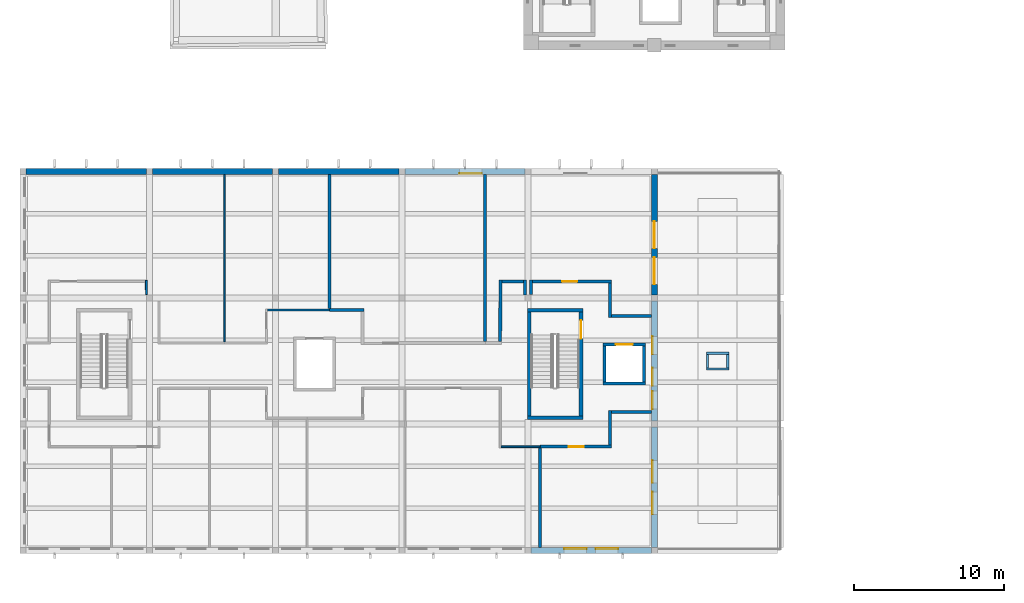
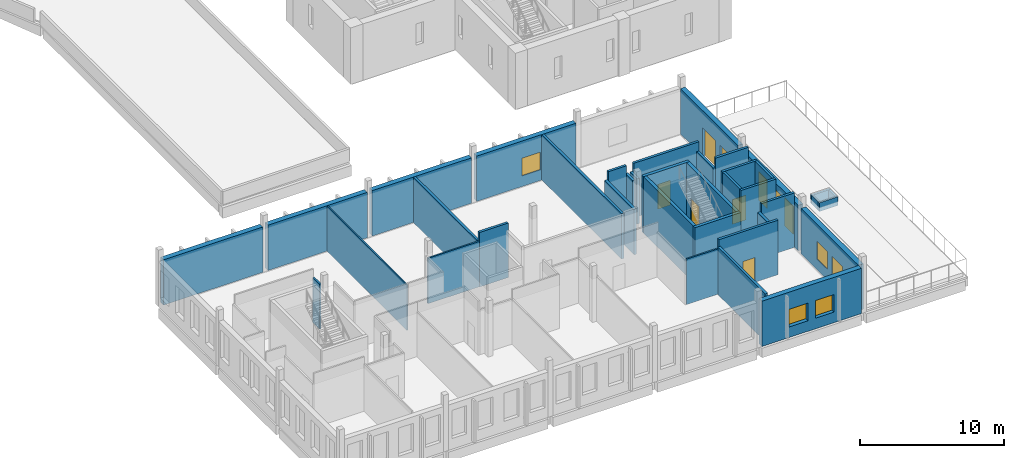
# One storey, part 10 of 79: 38 walls, 8 windows, 6 doors, 14 openings.
"""IFC4 building model written with IfcOpenShell, lengths in metres."""

from ifc_helpers import new_model, si_unit, direction, frame, frame_2d, origin, place, context, subcontext, project, spatial, rectangle, extrude, material, layer, layer_set, type_object, element, fill, save


model = new_model("IFC4")

# Units and contexts
model_context = context("Model", 3, precision=1e-05, world=origin(), true_north=direction((0.0, 1.0)))
body_context = subcontext(model_context, "Body", "Model", "MODEL_VIEW")
ifc_project = project(units=[si_unit("LENGTHUNIT", "METRE"), si_unit("AREAUNIT", "SQUARE_METRE"), si_unit("VOLUMEUNIT", "CUBIC_METRE"), si_unit("PLANEANGLEUNIT", "RADIAN"), si_unit("MASSUNIT", "GRAM", prefix="KILO")], contexts=[model_context])

# Site, building, storey
site_placement = place(None, origin())
site = spatial("IfcSite", under=ifc_project, at=site_placement, CompositionType="ELEMENT")
building_placement = place(site_placement, origin())
building = spatial("IfcBuilding", under=site, at=building_placement, Name="Larchfold Concert Hall", CompositionType="ELEMENT")
storey_placement = place(building_placement, frame((0.0, 0.0, 14.39990234375)))
storey = spatial("IfcBuildingStorey", under=building, at=storey_placement, Name="L03", CompositionType="ELEMENT", Elevation=14.39990234375)

# Wall
ifc_material_1 = material(Name="Plasterboard partition on steel studs", Category="steel")
ifc_layer_1 = layer(ifc_material_1, 0.199951171875)
ifc_layer_set_1 = layer_set([ifc_layer_1], Name="Plasterboard partition on steel studs")
wall_type_1 = type_object("IfcWallType", Name="Acoustic partition 200", PredefinedType="PARTITIONING", material=ifc_layer_set_1)
wall_1_placement = place(storey_placement, frame((35.0, 7.39990234375, 0.0), z_axis=(0.0, 0.0, 1.0), x_axis=(0.0, -1.0, 0.0)))
element("IfcWall", 1, at=wall_1_placement, inside=storey, type_object=wall_type_1, Name="Partition IW0069", PredefinedType="PARTITIONING", context=body_context, shape_type="SweptSolid", body=[
    extrude(rectangle(XDim=6.599853515625, YDim=0.199951171875, at=frame_2d((3.2998046875, 0.0))), origin(), (0.0, 0.0, 1.0), 4.06005859375),
])

# Wall, opening, door
wall_2_placement = place(storey_placement, frame((35.0, 7.5, 0.0), z_axis=(0.0, 0.0, 1.0), x_axis=(1.0, 0.0, 0.0)))
wall_2 = element("IfcWall", 2, at=wall_2_placement, inside=storey, type_object=wall_type_1, Name="Partition IW0075", PredefinedType="PARTITIONING", context=body_context, shape_type="SweptSolid", body=[
    extrude(rectangle(XDim=4.75, YDim=0.199951171875, at=frame_2d((2.375, 0.0))), origin(), (0.0, 0.0, 1.0), 4.64013671875),
])
opening_1_placement = place(wall_2_placement, frame((1.90478515625, 0.0, 0.0)))
opening_1 = element("IfcOpeningElement", 3, at=opening_1_placement, cuts=wall_2, Name="Opening D-L03-122", PredefinedType="OPENING", context=body_context, shape_type="SweptSolid", body=[
    extrude(rectangle(XDim=1.0, YDim=2.10009765625, at=frame_2d((0.5, 1.050048828125))), frame((0.0, 0.10986328125, 0.0), z_axis=(0.0, -1.0, 0.0), x_axis=(1.0, 0.0, 0.0)), (0.0, 0.0, 1.0), 0.219970703125),
])
ifc_material_2 = material(Name="Timber door leaf", Category="wood")
door_type_1 = type_object("IfcDoorType", Name="Practice and studio door, acoustic 1000 x 2100 FD30S", OperationType="SINGLE_SWING_LEFT", PredefinedType="DOOR", material=ifc_material_2)
door_1_placement = place(opening_1_placement, origin())
door_1 = element("IfcDoor", 4, at=door_1_placement, inside=storey, type_object=door_type_1, Name="Door D-L03-122", OperationType="SINGLE_SWING_LEFT", OverallHeight=2.10009765625, OverallWidth=1.0, PredefinedType="DOOR", context=body_context, shape_type="SweptSolid", body=[
    extrude(rectangle(XDim=1.0, YDim=2.10009765625, at=frame_2d((0.5, 1.050048828125))), frame((0.0, 0.02490234375, 0.0), z_axis=(0.0, -1.0, 0.0), x_axis=(1.0, 0.0, 0.0)), (0.0, 0.0, 1.0), 0.050048828125),
])
fill(opening_1, door_1)

# Walls
wall_3_placement = place(storey_placement, frame((39.64990234375, 7.60009765625, 0.0), z_axis=(0.0, 0.0, 1.0), x_axis=(0.0, 1.0, 0.0)))
element("IfcWall", 5, at=wall_3_placement, inside=storey, type_object=wall_type_1, Name="Partition IW0076", PredefinedType="PARTITIONING", context=body_context, shape_type="SweptSolid", body=[
    extrude(rectangle(XDim=2.2998046875, YDim=0.199951171875, at=frame_2d((1.14990234375, 0.0))), origin(), (0.0, 0.0, 1.0), 3.860107421875),
])
wall_4_placement = place(storey_placement, frame((39.75, 9.800048828125, 0.0), z_axis=(0.0, 0.0, 1.0), x_axis=(1.0, 0.0, 0.0)))
element("IfcWall", 6, at=wall_4_placement, inside=storey, type_object=wall_type_1, Name="Partition IW0077", PredefinedType="PARTITIONING", context=body_context, shape_type="SweptSolid", body=[
    extrude(rectangle(XDim=2.650146484375, YDim=0.199951171875, at=frame_2d((1.3251953125, 0.0))), origin(), (0.0, 0.0, 1.0), 4.64013671875),
])
wall_5_placement = place(storey_placement, frame((20.97998046875, 16.59912109375, 0.0), z_axis=(0.0, 0.0, 1.0), x_axis=(1.0, 0.0, 0.0)))
element("IfcWall", 7, at=wall_5_placement, inside=storey, type_object=wall_type_1, Name="Partition IW0091", PredefinedType="PARTITIONING", context=body_context, shape_type="SweptSolid", body=[
    extrude(rectangle(XDim=2.319091796875, YDim=0.199951171875, at=frame_2d((1.15966796875, 0.0))), origin(), (0.0, 0.0, 1.0), 4.64013671875),
])
wall_6_placement = place(storey_placement, frame((34.010009765625, 18.59912109375, 0.0), z_axis=(0.0, 0.0, 1.0), x_axis=(0.0, -1.0, 0.0)))
element("IfcWall", 8, at=wall_6_placement, inside=storey, type_object=wall_type_1, Name="Partition IW0094", PredefinedType="PARTITIONING", context=body_context, shape_type="SweptSolid", body=[
    extrude(rectangle(XDim=0.9990234375, YDim=0.199951171875, at=frame_2d((0.49951171875, 0.0))), origin(), (0.0, 0.0, 1.0), 3.860107421875),
])
wall_7_placement = place(storey_placement, frame((34.38818359375, 17.619873046875, 0.0), z_axis=(0.0, 0.0, 1.0), x_axis=(0.001994511116, 0.999998010961, 0.0)))
element("IfcWall", 9, at=wall_7_placement, inside=storey, type_object=wall_type_1, Name="Partition IW0095", PredefinedType="PARTITIONING", context=body_context, shape_type="SweptSolid", body=[
    extrude(rectangle(XDim=0.979248046875, YDim=0.199951171875, at=frame_2d((0.48974609375, 0.0))), origin(), (0.0, 0.0, 1.0), 3.860107421875),
])

# Wall, opening, door
wall_8_placement = place(storey_placement, frame((34.489990234375, 18.4990234375, 0.0), z_axis=(0.0, 0.0, 1.0), x_axis=(1.0, 0.0, 0.0)))
wall_8 = element("IfcWall", 10, at=wall_8_placement, inside=storey, type_object=wall_type_1, Name="Partition IW0096", PredefinedType="PARTITIONING", context=body_context, shape_type="SweptSolid", body=[
    extrude(rectangle(XDim=5.259033203125, YDim=0.199951171875, at=frame_2d((2.62939453125, 0.0))), origin(), (0.0, 0.0, 1.0), 4.64013671875),
])
opening_2_placement = place(wall_8_placement, frame((1.9775390625, 0.0, 0.0)))
opening_2 = element("IfcOpeningElement", 11, at=opening_2_placement, cuts=wall_8, Name="Opening D-L03-127", PredefinedType="OPENING", context=body_context, shape_type="SweptSolid", body=[
    extrude(rectangle(XDim=1.0, YDim=2.10009765625, at=frame_2d((0.5, 1.050048828125))), frame((0.0, 0.10986328125, 0.0), z_axis=(0.0, -1.0, 0.0), x_axis=(1.0, 0.0, 0.0)), (0.0, 0.0, 1.0), 0.219970703125),
])
door_2_placement = place(opening_2_placement, origin())
door_2 = element("IfcDoor", 12, at=door_2_placement, inside=storey, type_object=door_type_1, Name="Door D-L03-127", OperationType="SINGLE_SWING_LEFT", OverallHeight=2.10009765625, OverallWidth=1.0, PredefinedType="DOOR", context=body_context, shape_type="SweptSolid", body=[
    extrude(rectangle(XDim=1.0, YDim=2.10009765625, at=frame_2d((0.5, 1.050048828125))), frame((0.0, 0.02490234375, 0.0), z_axis=(0.0, -1.0, 0.0), x_axis=(1.0, 0.0, 0.0)), (0.0, 0.0, 1.0), 0.050048828125),
])
fill(opening_2, door_2)

# Walls
wall_9_placement = place(storey_placement, frame((39.64892578125, 18.39892578125, 0.0), z_axis=(0.0, 0.0, 1.0), x_axis=(0.0, -1.0, 0.0)))
element("IfcWall", 13, at=wall_9_placement, inside=storey, type_object=wall_type_1, Name="Partition IW0097", PredefinedType="PARTITIONING", context=body_context, shape_type="SweptSolid", body=[
    extrude(rectangle(XDim=2.2998046875, YDim=0.199951171875, at=frame_2d((1.14990234375, 0.0))), origin(), (0.0, 0.0, 1.0), 3.860107421875),
])
wall_10_placement = place(storey_placement, frame((39.7490234375, 16.198974609375, 0.0), z_axis=(0.0, 0.0, 1.0), x_axis=(1.0, 0.0, 0.0)))
element("IfcWall", 14, at=wall_10_placement, inside=storey, type_object=wall_type_1, Name="Partition IW0098", PredefinedType="PARTITIONING", context=body_context, shape_type="SweptSolid", body=[
    extrude(rectangle(XDim=2.651123046875, YDim=0.199951171875, at=frame_2d((1.32568359375, 0.0))), origin(), (0.0, 0.0, 1.0), 4.64013671875),
])
wall_11_placement = place(storey_placement, frame((32.35009765625, 14.4990234375, 0.0), z_axis=(0.0, 0.0, 1.0), x_axis=(0.000238180296, 0.999999971635, 0.0)))
element("IfcWall", 15, at=wall_11_placement, inside=storey, type_object=wall_type_1, Name="Partition IW0100", PredefinedType="PARTITIONING", context=body_context, shape_type="SweptSolid", body=[
    extrude(rectangle(XDim=4.10009765625, YDim=0.199951171875, at=frame_2d((2.050048828125, 0.0))), origin(), (0.0, 0.0, 1.0), 3.860107421875),
])
wall_12_placement = place(storey_placement, frame((32.450927734375, 18.4990234375, 0.0), z_axis=(0.0, 0.0, 1.0), x_axis=(1.0, 0.0, 0.0)))
element("IfcWall", 16, at=wall_12_placement, inside=storey, type_object=wall_type_1, Name="Partition IW0101", PredefinedType="PARTITIONING", context=body_context, shape_type="SweptSolid", body=[
    extrude(rectangle(XDim=1.458984375, YDim=0.199951171875, at=frame_2d((0.7294921875, 0.0))), origin(), (0.0, 0.0, 1.0), 4.64013671875),
])
wall_13_placement = place(storey_placement, frame((31.3330078125, 25.60009765625, 0.0), z_axis=(0.0, 0.0, 1.0), x_axis=(0.0, -1.0, 0.0)))
element("IfcWall", 17, at=wall_13_placement, inside=storey, type_object=wall_type_1, Name="Partition IW0106", PredefinedType="PARTITIONING", context=body_context, shape_type="SweptSolid", body=[
    extrude(rectangle(XDim=11.10009765625, YDim=0.199951171875, at=frame_2d((5.550048828125, 0.0))), origin(), (0.0, 0.0, 1.0), 3.860107421875),
])
wall_14_placement = place(storey_placement, frame((21.0, 16.699951171875, 0.0), z_axis=(0.0, 0.0, 1.0), x_axis=(0.0, 1.0, 0.0)))
element("IfcWall", 18, at=wall_14_placement, inside=storey, type_object=wall_type_1, Name="Partition IW0107", PredefinedType="PARTITIONING", context=body_context, shape_type="SweptSolid", body=[
    extrude(rectangle(XDim=8.900146484375, YDim=0.199951171875, at=frame_2d((4.4501953125, 0.0))), origin(), (0.0, 0.0, 1.0), 3.860107421875),
])
ifc_material_3 = material(Name="Plasterboard partition on steel studs", Category="steel")
ifc_layer_2 = layer(ifc_material_3, 0.125)
ifc_layer_set_2 = layer_set([ifc_layer_2], Name="Plasterboard partition on steel studs")
wall_type_2 = type_object("IfcWallType", Name="Corridor partition 125 EI 60", PredefinedType="PARTITIONING", material=ifc_layer_set_2)
wall_15_placement = place(storey_placement, frame((32.41259765625, 7.5, 0.0), z_axis=(0.0, 0.0, 1.0), x_axis=(1.0, 0.0, 0.0)))
element("IfcWall", 19, at=wall_15_placement, inside=storey, type_object=wall_type_2, Name="Partition IW0074", PredefinedType="PARTITIONING", context=body_context, shape_type="SweptSolid", body=[
    extrude(rectangle(XDim=2.58740234375, YDim=0.125, at=frame_2d((1.293701171875, 0.0))), origin(), (0.0, 0.0, 1.0), 3.860107421875),
])
wall_16_placement = place(storey_placement, frame((8.809814453125, 18.5615234375, 0.0), z_axis=(0.0, 0.0, 1.0), x_axis=(0.003370476059, -0.999994319929, 0.0)))
element("IfcWall", 20, at=wall_16_placement, inside=storey, type_object=wall_type_2, Name="Partition IW0088", PredefinedType="PARTITIONING", context=body_context, shape_type="SweptSolid", body=[
    extrude(rectangle(XDim=0.941650390625, YDim=0.125, at=frame_2d((0.470703125, 0.0))), origin(), (0.0, 0.0, 1.0), 3.860107421875),
])
wall_17_placement = place(storey_placement, frame((16.863525390625, 16.59912109375, 0.0), z_axis=(0.0, 0.0, 1.0), x_axis=(1.0, 0.0, 0.0)))
element("IfcWall", 21, at=wall_17_placement, inside=storey, type_object=wall_type_2, Name="Partition IW0104", PredefinedType="PARTITIONING", context=body_context, shape_type="SweptSolid", body=[
    extrude(rectangle(XDim=4.116455078125, YDim=0.125, at=frame_2d((2.05810546875, 0.0))), origin(), (0.0, 0.0, 1.0), 3.860107421875),
])

# Wall, openings, windows
ifc_material_4 = material(Name="Larch cladding on mineral wool and CLT", Category="wood")
ifc_layer_3 = layer(ifc_material_4, 0.39990234375)
ifc_layer_set_3 = layer_set([ifc_layer_3], Name="Larch cladding on mineral wool and CLT")
wall_type_3 = type_object("IfcWallType", Name="Larch clad infill wall 400", PredefinedType="SOLIDWALL", material=ifc_layer_set_3)
wall_18_placement = place(storey_placement, frame((42.60009765625, 0.800048828125, 0.0), z_axis=(0.0, 0.0, 1.0), x_axis=(0.0, 1.0, 0.0)))
wall_18 = element("IfcWall", 22, at=wall_18_placement, inside=storey, type_object=wall_type_3, Name="Infill wall W5052", PredefinedType="SOLIDWALL", context=body_context, shape_type="SweptSolid", body=[
    extrude(rectangle(XDim=8.0, YDim=0.39990234375, at=frame_2d((4.0, 0.0))), origin(), (0.0, 0.0, 1.0), 3.860107421875),
])
opening_3_placement = place(wall_18_placement, frame((2.199951171875, 0.0, 0.89990234375)))
opening_3 = element("IfcOpeningElement", 23, at=opening_3_placement, cuts=wall_18, Name="Opening WN-L03-017", PredefinedType="OPENING", context=body_context, shape_type="SweptSolid", body=[
    extrude(rectangle(XDim=1.5, YDim=1.5, at=frame_2d((0.75, 0.75))), frame((0.0, 0.2099609375, 0.0), z_axis=(0.0, -1.0, 0.0), x_axis=(1.0, 0.0, 0.0)), (0.0, 0.0, 1.0), 0.419921875),
])
opening_4_placement = place(wall_18_placement, frame((4.300048828125, 0.0, 0.89990234375)))
opening_4 = element("IfcOpeningElement", 24, at=opening_4_placement, cuts=wall_18, Name="Opening WN-L03-018", PredefinedType="OPENING", context=body_context, shape_type="SweptSolid", body=[
    extrude(rectangle(XDim=1.5, YDim=1.5, at=frame_2d((0.75, 0.75))), frame((0.0, 0.2099609375, 0.0), z_axis=(0.0, -1.0, 0.0), x_axis=(1.0, 0.0, 0.0)), (0.0, 0.0, 1.0), 0.419921875),
])
ifc_material_5 = material(Name="Anodised graphite aluminium frame with glass", Category="aluminium")
window_type_1 = type_object("IfcWindowType", Name="Studio window 1500x1500", PartitioningType="DOUBLE_PANEL_VERTICAL", PredefinedType="WINDOW", material=ifc_material_5)
window_1_placement = place(opening_3_placement, origin())
window_1 = element("IfcWindow", 25, at=window_1_placement, inside=storey, type_object=window_type_1, Name="Window WN-L03-017", OverallHeight=1.5, OverallWidth=1.5, PartitioningType="DOUBLE_PANEL_VERTICAL", PredefinedType="WINDOW", context=body_context, shape_type="SweptSolid", body=[
    extrude(rectangle(XDim=1.5, YDim=1.5, at=frame_2d((0.75, 0.75))), frame((0.0, 0.150146484375, 0.0), z_axis=(0.0, -1.0, 0.0), x_axis=(1.0, 0.0, 0.0)), (0.0, 0.0, 1.0), 0.06005859375),
])
fill(opening_3, window_1)
window_2_placement = place(opening_4_placement, origin())
window_2 = element("IfcWindow", 26, at=window_2_placement, inside=storey, type_object=window_type_1, Name="Window WN-L03-018", OverallHeight=1.5, OverallWidth=1.5, PartitioningType="DOUBLE_PANEL_VERTICAL", PredefinedType="WINDOW", context=body_context, shape_type="SweptSolid", body=[
    extrude(rectangle(XDim=1.5, YDim=1.5, at=frame_2d((0.75, 0.75))), frame((0.0, 0.150146484375, 0.0), z_axis=(0.0, -1.0, 0.0), x_axis=(1.0, 0.0, 0.0)), (0.0, 0.0, 1.0), 0.06005859375),
])
fill(opening_4, window_2)

wall_19_placement = place(storey_placement, frame((42.60009765625, 9.199951171875, 0.0), z_axis=(0.0, 0.0, 1.0), x_axis=(0.0, 1.0, 0.0)))
wall_19 = element("IfcWall", 27, at=wall_19_placement, inside=storey, type_object=wall_type_3, Name="Infill wall W5053", PredefinedType="SOLIDWALL", context=body_context, shape_type="SweptSolid", body=[
    extrude(rectangle(XDim=8.0, YDim=0.39990234375, at=frame_2d((4.0, 0.0))), origin(), (0.0, 0.0, 1.0), 3.860107421875),
])
opening_5_placement = place(wall_19_placement, frame((0.804931640625, 0.0, 0.89990234375)))
opening_5 = element("IfcOpeningElement", 28, at=opening_5_placement, cuts=wall_19, Name="Opening WN-L03-019", PredefinedType="OPENING", context=body_context, shape_type="SweptSolid", body=[
    extrude(rectangle(XDim=1.199951171875, YDim=2.39990234375, at=frame_2d((0.60009765625, 1.199951171875))), frame((0.0, 0.2099609375, 0.0), z_axis=(0.0, -1.0, 0.0), x_axis=(1.0, 0.0, 0.0)), (0.0, 0.0, 1.0), 0.419921875),
])
opening_6_placement = place(wall_19_placement, frame((2.35009765625, 0.0, 0.89990234375)))
opening_6 = element("IfcOpeningElement", 29, at=opening_6_placement, cuts=wall_19, Name="Opening WN-L03-020", PredefinedType="OPENING", context=body_context, shape_type="SweptSolid", body=[
    extrude(rectangle(XDim=1.199951171875, YDim=2.39990234375, at=frame_2d((0.60009765625, 1.199951171875))), frame((0.0, 0.2099609375, 0.0), z_axis=(0.0, -1.0, 0.0), x_axis=(1.0, 0.0, 0.0)), (0.0, 0.0, 1.0), 0.419921875),
])
opening_7_placement = place(wall_19_placement, frame((4.449951171875, 0.0, 0.89990234375)))
opening_7 = element("IfcOpeningElement", 30, at=opening_7_placement, cuts=wall_19, Name="Opening WN-L03-021", PredefinedType="OPENING", context=body_context, shape_type="SweptSolid", body=[
    extrude(rectangle(XDim=1.199951171875, YDim=2.39990234375, at=frame_2d((0.60009765625, 1.199951171875))), frame((0.0, 0.2099609375, 0.0), z_axis=(0.0, -1.0, 0.0), x_axis=(1.0, 0.0, 0.0)), (0.0, 0.0, 1.0), 0.419921875),
])
ifc_material_6 = material(Name="Anodised graphite aluminium frame with glass", Category="aluminium")
window_type_2 = type_object("IfcWindowType", Name="Slot window 1200x2400", PartitioningType="SINGLE_PANEL", PredefinedType="WINDOW", material=ifc_material_6)
window_3_placement = place(opening_5_placement, origin())
window_3 = element("IfcWindow", 31, at=window_3_placement, inside=storey, type_object=window_type_2, Name="Window WN-L03-019", OverallHeight=2.39990234375, OverallWidth=1.199951171875, PartitioningType="SINGLE_PANEL", PredefinedType="WINDOW", context=body_context, shape_type="SweptSolid", body=[
    extrude(rectangle(XDim=1.199951171875, YDim=2.39990234375, at=frame_2d((0.60009765625, 1.199951171875))), frame((0.0, 0.150146484375, 0.0), z_axis=(0.0, -1.0, 0.0), x_axis=(1.0, 0.0, 0.0)), (0.0, 0.0, 1.0), 0.06005859375),
])
fill(opening_5, window_3)
window_4_placement = place(opening_6_placement, origin())
window_4 = element("IfcWindow", 32, at=window_4_placement, inside=storey, type_object=window_type_2, Name="Window WN-L03-020", OverallHeight=2.39990234375, OverallWidth=1.199951171875, PartitioningType="SINGLE_PANEL", PredefinedType="WINDOW", context=body_context, shape_type="SweptSolid", body=[
    extrude(rectangle(XDim=1.199951171875, YDim=2.39990234375, at=frame_2d((0.60009765625, 1.199951171875))), frame((0.0, 0.150146484375, 0.0), z_axis=(0.0, -1.0, 0.0), x_axis=(1.0, 0.0, 0.0)), (0.0, 0.0, 1.0), 0.06005859375),
])
fill(opening_6, window_4)
window_5_placement = place(opening_7_placement, origin())
window_5 = element("IfcWindow", 33, at=window_5_placement, inside=storey, type_object=window_type_2, Name="Window WN-L03-021", OverallHeight=2.39990234375, OverallWidth=1.199951171875, PartitioningType="SINGLE_PANEL", PredefinedType="WINDOW", context=body_context, shape_type="SweptSolid", body=[
    extrude(rectangle(XDim=1.199951171875, YDim=2.39990234375, at=frame_2d((0.60009765625, 1.199951171875))), frame((0.0, 0.150146484375, 0.0), z_axis=(0.0, -1.0, 0.0), x_axis=(1.0, 0.0, 0.0)), (0.0, 0.0, 1.0), 0.06005859375),
])
fill(opening_7, window_5)

# Wall, openings, doors
wall_20_placement = place(storey_placement, frame((42.60009765625, 17.599853515625, 0.0), z_axis=(0.0, 0.0, 1.0), x_axis=(0.0, 1.0, 0.0)))
wall_20 = element("IfcWall", 34, at=wall_20_placement, inside=storey, type_object=wall_type_3, Name="Infill wall W5054", PredefinedType="SOLIDWALL", context=body_context, shape_type="SweptSolid", body=[
    extrude(rectangle(XDim=8.000244140625, YDim=0.39990234375, at=frame_2d((4.0, 0.0))), origin(), (0.0, 0.0, 1.0), 3.860107421875),
])
opening_8_placement = place(wall_20_placement, frame((3.10009765625, 0.0, 0.0)))
opening_8 = element("IfcOpeningElement", 35, at=opening_8_placement, cuts=wall_20, Name="Opening D-L03-201", PredefinedType="OPENING", context=body_context, shape_type="SweptSolid", body=[
    extrude(rectangle(XDim=1.800048828125, YDim=2.39990234375, at=frame_2d((0.89990234375, 1.199951171875))), frame((0.0, 0.2099609375, 0.0), z_axis=(0.0, -1.0, 0.0), x_axis=(1.0, 0.0, 0.0)), (0.0, 0.0, 1.0), 0.419921875),
])
opening_9_placement = place(wall_20_placement, frame((0.699951171875, 0.0, 0.0)))
opening_9 = element("IfcOpeningElement", 36, at=opening_9_placement, cuts=wall_20, Name="Opening D-L03-202", PredefinedType="OPENING", context=body_context, shape_type="SweptSolid", body=[
    extrude(rectangle(XDim=1.800048828125, YDim=2.39990234375, at=frame_2d((0.89990234375, 1.199951171875))), frame((0.0, 0.2099609375, 0.0), z_axis=(0.0, -1.0, 0.0), x_axis=(1.0, 0.0, 0.0)), (0.0, 0.0, 1.0), 0.419921875),
])
ifc_material_7 = material(Name="Anodised graphite aluminium door leaf", Category="aluminium")
door_type_2 = type_object("IfcDoorType", Name="Double door 1800x2400", OperationType="DOUBLE_DOOR_SINGLE_SWING", PredefinedType="DOOR", material=ifc_material_7)
door_3_placement = place(opening_8_placement, origin())
door_3 = element("IfcDoor", 37, at=door_3_placement, inside=storey, type_object=door_type_2, Name="Door D-L03-201", OperationType="DOUBLE_DOOR_SINGLE_SWING", OverallHeight=2.39990234375, OverallWidth=1.800048828125, PredefinedType="DOOR", context=body_context, shape_type="SweptSolid", body=[
    extrude(rectangle(XDim=1.800048828125, YDim=2.39990234375, at=frame_2d((0.89990234375, 1.199951171875))), frame((0.0, 0.02490234375, 0.0), z_axis=(0.0, -1.0, 0.0), x_axis=(1.0, 0.0, 0.0)), (0.0, 0.0, 1.0), 0.050048828125),
])
fill(opening_8, door_3)
door_4_placement = place(opening_9_placement, origin())
door_4 = element("IfcDoor", 38, at=door_4_placement, inside=storey, type_object=door_type_2, Name="Door D-L03-202", OperationType="DOUBLE_DOOR_SINGLE_SWING", OverallHeight=2.39990234375, OverallWidth=1.800048828125, PredefinedType="DOOR", context=body_context, shape_type="SweptSolid", body=[
    extrude(rectangle(XDim=1.800048828125, YDim=2.39990234375, at=frame_2d((0.89990234375, 1.199951171875))), frame((0.0, 0.02490234375, 0.0), z_axis=(0.0, -1.0, 0.0), x_axis=(1.0, 0.0, 0.0)), (0.0, 0.0, 1.0), 0.050048828125),
])
fill(opening_9, door_4)

# Wall, opening, window
wall_21_placement = place(storey_placement, frame((34.0, 25.800048828125, 0.0), z_axis=(0.0, 0.0, 1.0), x_axis=(-1.0, 0.0, 0.0)))
wall_21 = element("IfcWall", 39, at=wall_21_placement, inside=storey, type_object=wall_type_3, Name="Infill wall W5056", PredefinedType="SOLIDWALL", context=body_context, shape_type="SweptSolid", body=[
    extrude(rectangle(XDim=8.0, YDim=0.39990234375, at=frame_2d((4.0, 0.0))), origin(), (0.0, 0.0, 1.0), 3.860107421875),
])
opening_10_placement = place(wall_21_placement, frame((2.869873046875, 0.0, 0.89990234375)))
opening_10 = element("IfcOpeningElement", 40, at=opening_10_placement, cuts=wall_21, Name="Opening WN-L03-023", PredefinedType="OPENING", context=body_context, shape_type="SweptSolid", body=[
    extrude(rectangle(XDim=1.5, YDim=1.5, at=frame_2d((0.75, 0.75))), frame((0.0, 0.2099609375, 0.0), z_axis=(0.0, -1.0, 0.0), x_axis=(1.0, 0.0, 0.0)), (0.0, 0.0, 1.0), 0.419921875),
])
window_6_placement = place(opening_10_placement, origin())
window_6 = element("IfcWindow", 41, at=window_6_placement, inside=storey, type_object=window_type_1, Name="Window WN-L03-023", OverallHeight=1.5, OverallWidth=1.5, PartitioningType="DOUBLE_PANEL_VERTICAL", PredefinedType="WINDOW", context=body_context, shape_type="SweptSolid", body=[
    extrude(rectangle(XDim=1.5, YDim=1.5, at=frame_2d((0.75, 0.75))), frame((0.0, 0.150146484375, 0.0), z_axis=(0.0, -1.0, 0.0), x_axis=(1.0, 0.0, 0.0)), (0.0, 0.0, 1.0), 0.06005859375),
])
fill(opening_10, window_6)

# Walls
wall_22_placement = place(storey_placement, frame((25.60009765625, 25.800048828125, 0.0), z_axis=(0.0, 0.0, 1.0), x_axis=(-1.0, 0.0, 0.0)))
element("IfcWall", 42, at=wall_22_placement, inside=storey, type_object=wall_type_3, Name="Infill wall W5057", PredefinedType="SOLIDWALL", context=body_context, shape_type="SweptSolid", body=[
    extrude(rectangle(XDim=8.000244140625, YDim=0.39990234375, at=frame_2d((4.0, 0.0))), origin(), (0.0, 0.0, 1.0), 3.860107421875),
])
for number, where, z_axis, x_axis, name in (
    (43, (17.199951171875, 25.800048828125, 0.0), (0.0, 0.0, 1.0), (-1.0, 0.0, 0.0), "Infill wall W5058"),
    (44, (8.800048828125, 25.800048828125, 0.0), (0.0, 0.0, 1.0), (-1.0, 0.0, 0.0), "Infill wall W5059"),
):
    element("IfcWall", number, at=place(storey_placement, frame(where, z_axis=z_axis, x_axis=x_axis)), inside=storey, type_object=wall_type_3, Name=name, PredefinedType="SOLIDWALL", context=body_context, shape_type="SweptSolid", body=[
        extrude(rectangle(XDim=8.0, YDim=0.39990234375, at=frame_2d((4.0, 0.0))), origin(), (0.0, 0.0, 1.0), 3.860107421875),
    ])

# Wall, openings, windows
wall_23_placement = place(storey_placement, frame((34.39990234375, 0.60009765625, 0.0), z_axis=(0.0, 0.0, 1.0), x_axis=(1.0, 0.0, 0.0)))
wall_23 = element("IfcWall", 45, at=wall_23_placement, inside=storey, type_object=wall_type_3, Name="Infill wall W5067", PredefinedType="SOLIDWALL", context=body_context, shape_type="SweptSolid", body=[
    extrude(rectangle(XDim=8.000244140625, YDim=0.39990234375, at=frame_2d((4.0, 0.0))), origin(), (0.0, 0.0, 1.0), 3.860107421875),
])
opening_11_placement = place(wall_23_placement, frame((2.2001953125, 0.0, 0.89990234375)))
opening_11 = element("IfcOpeningElement", 46, at=opening_11_placement, cuts=wall_23, Name="Opening WN-L03-052", PredefinedType="OPENING", context=body_context, shape_type="SweptSolid", body=[
    extrude(rectangle(XDim=1.5, YDim=1.5, at=frame_2d((0.75, 0.75))), frame((0.0, 0.2099609375, 0.0), z_axis=(0.0, -1.0, 0.0), x_axis=(1.0, 0.0, 0.0)), (0.0, 0.0, 1.0), 0.419921875),
])
opening_12_placement = place(wall_23_placement, frame((4.300048828125, 0.0, 0.89990234375)))
opening_12 = element("IfcOpeningElement", 47, at=opening_12_placement, cuts=wall_23, Name="Opening WN-L03-053", PredefinedType="OPENING", context=body_context, shape_type="SweptSolid", body=[
    extrude(rectangle(XDim=1.5, YDim=1.5, at=frame_2d((0.75, 0.75))), frame((0.0, 0.2099609375, 0.0), z_axis=(0.0, -1.0, 0.0), x_axis=(1.0, 0.0, 0.0)), (0.0, 0.0, 1.0), 0.419921875),
])
window_7_placement = place(opening_11_placement, origin())
window_7 = element("IfcWindow", 48, at=window_7_placement, inside=storey, type_object=window_type_1, Name="Window WN-L03-052", OverallHeight=1.5, OverallWidth=1.5, PartitioningType="DOUBLE_PANEL_VERTICAL", PredefinedType="WINDOW", context=body_context, shape_type="SweptSolid", body=[
    extrude(rectangle(XDim=1.5, YDim=1.5, at=frame_2d((0.75, 0.75))), frame((0.0, 0.150146484375, 0.0), z_axis=(0.0, -1.0, 0.0), x_axis=(1.0, 0.0, 0.0)), (0.0, 0.0, 1.0), 0.06005859375),
])
fill(opening_11, window_7)
window_8_placement = place(opening_12_placement, origin())
window_8 = element("IfcWindow", 49, at=window_8_placement, inside=storey, type_object=window_type_1, Name="Window WN-L03-053", OverallHeight=1.5, OverallWidth=1.5, PartitioningType="DOUBLE_PANEL_VERTICAL", PredefinedType="WINDOW", context=body_context, shape_type="SweptSolid", body=[
    extrude(rectangle(XDim=1.5, YDim=1.5, at=frame_2d((0.75, 0.75))), frame((0.0, 0.150146484375, 0.0), z_axis=(0.0, -1.0, 0.0), x_axis=(1.0, 0.0, 0.0)), (0.0, 0.0, 1.0), 0.06005859375),
])
fill(opening_12, window_8)

# Walls
ifc_material_8 = material(Name="Insulated steel upstand S355", Category="steel")
ifc_layer_4 = layer(ifc_material_8, 0.14990234375)
ifc_layer_set_4 = layer_set([ifc_layer_4], Name="Insulated steel upstand S355")
wall_type_4 = type_object("IfcWallType", Name="Roof hatch curb 150", PredefinedType="PARAPET", material=ifc_layer_set_4)
for number, where, z_axis, x_axis, name in (
    (50, (46.06005859375, 12.67529296875, 0.0), (0.0, 0.0, 1.0), (1.0, 0.0, 0.0), "Roof upstand curb HC09"),
    (51, (46.06005859375, 13.72509765625, 0.0), (0.0, 0.0, 1.0), (1.0, 0.0, 0.0), "Roof upstand curb HC10"),
):
    element("IfcWall", number, at=place(storey_placement, frame(where, z_axis=z_axis, x_axis=x_axis)), inside=storey, type_object=wall_type_4, Name=name, PredefinedType="PARAPET", context=body_context, shape_type="SweptSolid", body=[
        extrude(rectangle(XDim=1.5, YDim=0.14990234375, at=frame_2d((0.75, 0.0))), origin(), (0.0, 0.0, 1.0), 0.739990234375),
    ])
for number, where, z_axis, x_axis, name in (
    (52, (46.135009765625, 12.750244140625, 0.0), (0.0, 0.0, 1.0), (0.0, 1.0, 0.0), "Roof upstand curb HC11"),
    (53, (47.485107421875, 12.750244140625, 0.0), (0.0, 0.0, 1.0), (0.0, 1.0, 0.0), "Roof upstand curb HC12"),
):
    element("IfcWall", number, at=place(storey_placement, frame(where, z_axis=z_axis, x_axis=x_axis)), inside=storey, type_object=wall_type_4, Name=name, PredefinedType="PARAPET", context=body_context, shape_type="SweptSolid", body=[
        extrude(rectangle(XDim=0.89990234375, YDim=0.14990234375, at=frame_2d((0.449951171875, 0.0))), origin(), (0.0, 0.0, 1.0), 0.739990234375),
    ])
ifc_material_9 = material(Name="Plasterboard partition on steel studs", Category="steel")
ifc_layer_5 = layer(ifc_material_9, 0.10009765625)
ifc_layer_set_5 = layer_set([ifc_layer_5], Name="Plasterboard partition on steel studs")
wall_type_5 = type_object("IfcWallType", Name="Stud partition 100", PredefinedType="PARTITIONING", material=ifc_layer_set_5)
wall_24_placement = place(storey_placement, frame((14.0, 25.60009765625, 0.0), z_axis=(0.0, 0.0, 1.0), x_axis=(0.0, -1.0, 0.0)))
element("IfcWall", 54, at=wall_24_placement, inside=storey, type_object=wall_type_5, Name="Partition IW0105", PredefinedType="PARTITIONING", context=body_context, shape_type="SweptSolid", body=[
    extrude(rectangle(XDim=11.135009765625, YDim=0.10009765625, at=frame_2d((5.5673828125, 0.0))), origin(), (0.0, 0.0, 1.0), 3.860107421875),
])
ifc_material_10 = material(Name="Concrete C40/50", Category="concrete")
ifc_layer_6 = layer(ifc_material_10, 0.199951171875)
ifc_layer_set_6 = layer_set([ifc_layer_6], Name="Concrete C40/50")
wall_type_6 = type_object("IfcWallType", Name="Wall RC 200 lift shaft", PredefinedType="SOLIDWALL", material=ifc_layer_set_6)
wall_25_placement = place(storey_placement, frame((39.199951171875, 11.7001953125, 0.0), z_axis=(0.0, 0.0, 1.0), x_axis=(1.0, 0.0, 0.0)))
element("IfcWall", 55, at=wall_25_placement, inside=storey, type_object=wall_type_6, Name="Wall W0146", PredefinedType="SOLIDWALL", context=body_context, shape_type="SweptSolid", body=[
    extrude(rectangle(XDim=2.800048828125, YDim=0.199951171875, at=frame_2d((1.39990234375, 0.0))), origin(), (0.0, 0.0, 1.0), 4.800048828125),
])

# Wall, opening, door
wall_26_placement = place(storey_placement, frame((39.199951171875, 14.2998046875, 0.0), z_axis=(0.0, 0.0, 1.0), x_axis=(1.0, 0.0, 0.0)))
wall_26 = element("IfcWall", 56, at=wall_26_placement, inside=storey, type_object=wall_type_6, Name="Wall W0147", PredefinedType="SOLIDWALL", context=body_context, shape_type="SweptSolid", body=[
    extrude(rectangle(XDim=2.800048828125, YDim=0.199951171875, at=frame_2d((1.39990234375, 0.0))), origin(), (0.0, 0.0, 1.0), 4.800048828125),
])
opening_13_placement = place(wall_26_placement, frame((0.85009765625, 0.0, 0.0)))
opening_13 = element("IfcOpeningElement", 57, at=opening_13_placement, cuts=wall_26, Name="Opening LD-LF11", PredefinedType="OPENING", context=body_context, shape_type="SweptSolid", body=[
    extrude(rectangle(XDim=1.10009765625, YDim=2.10009765625, at=frame_2d((0.550048828125, 1.050048828125))), frame((0.0, 0.10986328125, 0.0), z_axis=(0.0, -1.0, 0.0), x_axis=(1.0, 0.0, 0.0)), (0.0, 0.0, 1.0), 0.219970703125),
])
ifc_material_11 = material(Name="Stainless steel sliding leaves", Category="steel")
door_type_3 = type_object("IfcDoorType", Name="Lift landing door sliding 1100 x 2100", OperationType="SLIDING_TO_LEFT", PredefinedType="DOOR", material=ifc_material_11)
door_5_placement = place(opening_13_placement, origin())
door_5 = element("IfcDoor", 58, at=door_5_placement, inside=storey, type_object=door_type_3, Name="Lift landing door LF11", OperationType="SLIDING_TO_LEFT", OverallHeight=2.10009765625, OverallWidth=1.10009765625, PredefinedType="DOOR", context=body_context, shape_type="SweptSolid", body=[
    extrude(rectangle(XDim=1.10009765625, YDim=2.10009765625, at=frame_2d((0.550048828125, 1.050048828125))), frame((0.0, 0.02490234375, 0.0), z_axis=(0.0, -1.0, 0.0), x_axis=(1.0, 0.0, 0.0)), (0.0, 0.0, 1.0), 0.050048828125),
])
fill(opening_13, door_5)

# Walls
for number, where, z_axis, x_axis, name in (
    (59, (39.300048828125, 11.800048828125, 0.0), (0.0, 0.0, 1.0), (0.0, 1.0, 0.0), "Wall W0148"),
    (60, (41.89990234375, 11.800048828125, 0.0), (0.0, 0.0, 1.0), (0.0, 1.0, 0.0), "Wall W0149"),
):
    element("IfcWall", number, at=place(storey_placement, frame(where, z_axis=z_axis, x_axis=x_axis)), inside=storey, type_object=wall_type_6, Name=name, PredefinedType="SOLIDWALL", context=body_context, shape_type="SweptSolid", body=[
        extrude(rectangle(XDim=2.39990234375, YDim=0.199951171875, at=frame_2d((1.199951171875, 0.0))), origin(), (0.0, 0.0, 1.0), 4.800048828125),
    ])
ifc_material_12 = material(Name="Concrete C40/50", Category="concrete")
ifc_layer_7 = layer(ifc_material_12, 0.25)
ifc_layer_set_7 = layer_set([ifc_layer_7], Name="Concrete C40/50")
wall_type_7 = type_object("IfcWallType", Name="Wall RC 250 stair core", PredefinedType="SOLIDWALL", material=ifc_layer_set_7)
for number, where, z_axis, x_axis, name in (
    (61, (34.14990234375, 9.425048828125, 0.0), (0.0, 0.0, 1.0), (1.0, 0.0, 0.0), "Wall W0106"),
    (62, (34.14990234375, 16.574951171875, 0.0), (0.0, 0.0, 1.0), (1.0, 0.0, 0.0), "Wall W0107"),
):
    element("IfcWall", number, at=place(storey_placement, frame(where, z_axis=z_axis, x_axis=x_axis)), inside=storey, type_object=wall_type_7, Name=name, PredefinedType="SOLIDWALL", context=body_context, shape_type="SweptSolid", body=[
        extrude(rectangle(XDim=3.7001953125, YDim=0.25, at=frame_2d((1.85009765625, 0.0))), origin(), (0.0, 0.0, 1.0), 4.800048828125),
    ])
wall_27_placement = place(storey_placement, frame((34.27490234375, 9.550048828125, 0.0), z_axis=(0.0, 0.0, 1.0), x_axis=(0.0, 1.0, 0.0)))
element("IfcWall", 63, at=wall_27_placement, inside=storey, type_object=wall_type_7, Name="Wall W0108", PredefinedType="SOLIDWALL", context=body_context, shape_type="SweptSolid", body=[
    extrude(rectangle(XDim=6.89990234375, YDim=0.25, at=frame_2d((3.449951171875, 0.0))), origin(), (0.0, 0.0, 1.0), 4.800048828125),
])

# Wall, opening, door
wall_28_placement = place(storey_placement, frame((37.72509765625, 9.550048828125, 0.0), z_axis=(0.0, 0.0, 1.0), x_axis=(0.0, 1.0, 0.0)))
wall_28 = element("IfcWall", 64, at=wall_28_placement, inside=storey, type_object=wall_type_7, Name="Wall W0109", PredefinedType="SOLIDWALL", context=body_context, shape_type="SweptSolid", body=[
    extrude(rectangle(XDim=6.89990234375, YDim=0.25, at=frame_2d((3.449951171875, 0.0))), origin(), (0.0, 0.0, 1.0), 4.800048828125),
])
opening_14_placement = place(wall_28_placement, frame((5.14990234375, 0.0, 0.0)))
opening_14 = element("IfcOpeningElement", 65, at=opening_14_placement, cuts=wall_28, Name="Opening D-L03-148", PredefinedType="OPENING", context=body_context, shape_type="SweptSolid", body=[
    extrude(rectangle(XDim=1.199951171875, YDim=2.10009765625, at=frame_2d((0.60009765625, 1.050048828125))), frame((0.0, 0.135009765625, 0.0), z_axis=(0.0, -1.0, 0.0), x_axis=(1.0, 0.0, 0.0)), (0.0, 0.0, 1.0), 0.27001953125),
])
ifc_material_13 = material(Name="Timber door leaf", Category="wood")
door_type_4 = type_object("IfcDoorType", Name="Stair enclosure door pair 1200 x 2100 FD60", OperationType="SINGLE_SWING_LEFT", PredefinedType="DOOR", material=ifc_material_13)
door_6_placement = place(opening_14_placement, origin())
door_6 = element("IfcDoor", 66, at=door_6_placement, inside=storey, type_object=door_type_4, Name="Door D-L03-148", OperationType="DOUBLE_DOOR_SINGLE_SWING", OverallHeight=2.10009765625, OverallWidth=1.199951171875, PredefinedType="DOOR", context=body_context, shape_type="SweptSolid", body=[
    extrude(rectangle(XDim=1.199951171875, YDim=2.10009765625, at=frame_2d((0.60009765625, 1.050048828125))), frame((0.0, 0.02490234375, 0.0), z_axis=(0.0, -1.0, 0.0), x_axis=(1.0, 0.0, 0.0)), (0.0, 0.0, 1.0), 0.050048828125),
])
fill(opening_14, door_6)

save(model, "model.ifc")
